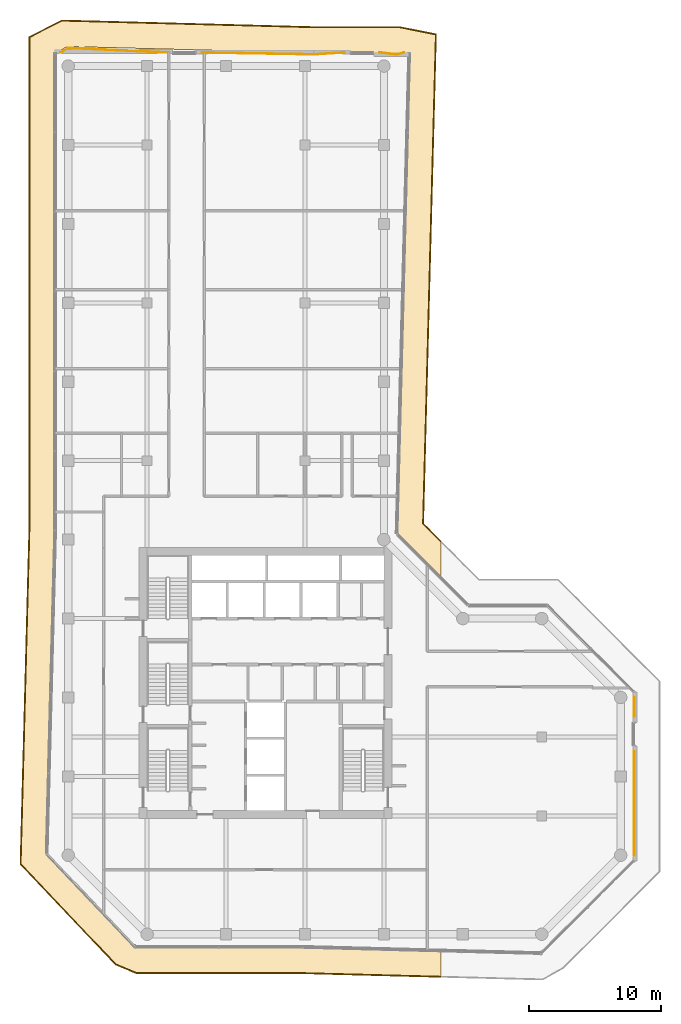
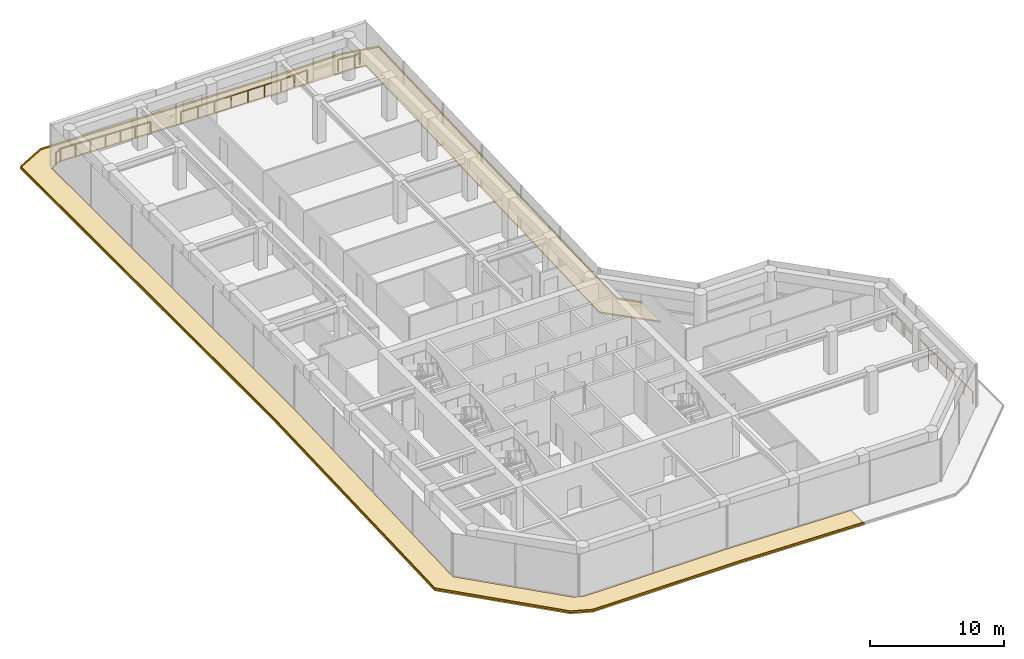
# One storey, part 19 of 19: 5 railings, 2 coverings.
"""IFC4 building model written with IfcOpenShell, lengths in metres."""

from ifc_helpers import new_model, si_unit, direction, frame, origin, origin_2d, place, context, subcontext, project, spatial, polyline, circle, outline, extrude, material, layer, layer_set, type_object, element, save


model = new_model("IFC4")

# Units and contexts
model_context = context("Model", 3, precision=1e-05, world=origin(), true_north=direction((0.0, 1.0)))
body_context = subcontext(model_context, "Body", "Model", "MODEL_VIEW")
ifc_project = project(units=[si_unit("LENGTHUNIT", "METRE"), si_unit("AREAUNIT", "SQUARE_METRE"), si_unit("VOLUMEUNIT", "CUBIC_METRE"), si_unit("PLANEANGLEUNIT", "RADIAN"), si_unit("MASSUNIT", "GRAM", prefix="KILO")], contexts=[model_context])

# Site, building, storey
site_placement = place(None, origin())
site = spatial("IfcSite", under=ifc_project, at=site_placement, CompositionType="ELEMENT")
building_placement = place(site_placement, origin())
building = spatial("IfcBuilding", under=site, at=building_placement, Name="Welwitschia Terrace Campus", CompositionType="ELEMENT")
storey_placement = place(building_placement, frame((0.0, 0.0, 163.39990234375)))
storey = spatial("IfcBuildingStorey", under=building, at=storey_placement, Name="L36", CompositionType="ELEMENT", Elevation=163.39990234375)

# Railings
ifc_material_1 = material(Name="Stainless steel grade 316", Category="steel")
railing_type = type_object("IfcRailingType", Name="Guard 1100", PredefinedType="GUARDRAIL", material=ifc_material_1)
railing_1_placement = place(storey_placement, frame((-0.584228515625, 63.018798828125, 0.0)))
element("IfcRailing", 1, at=railing_1_placement, inside=storey, type_object=railing_type, Name="Guard floor edge L36.0", PredefinedType="GUARDRAIL", context=body_context, shape_type="SweptSolid", body=[
    extrude(circle(Radius=0.02392578125, at=origin_2d()), frame((0.0, 0.0, 1.076171875), z_axis=(0.853631085252, 0.520878076224, 0.0), x_axis=(-0.520878076224, 0.853631085252, 0.0)), (0.0, 0.0, 1.0), 0.673583984375),
    extrude(circle(Radius=0.02392578125, at=origin_2d()), frame((0.574951171875, 0.350830078125, 1.076171875), z_axis=(0.998941133806, -0.046006642883, 0.0), x_axis=(0.046006642883, 0.998941133806, 0.0)), (0.0, 0.0, 1.0), 7.52490234375),
    extrude(circle(Radius=0.02099609375, at=origin_2d()), origin(), (0.0, 0.0, 1.0), 1.052001953125),
    extrude(circle(Radius=0.02099609375, at=origin_2d()), frame((0.574951171875, 0.350830078125, 0.0)), (0.0, 0.0, 1.0), 1.052001953125),
    extrude(circle(Radius=0.02099609375, at=origin_2d()), frame((1.82763671875, 0.293212890625, 0.0)), (0.0, 0.0, 1.0), 1.052001953125),
    extrude(circle(Radius=0.02099609375, at=origin_2d()), frame((3.08056640625, 0.2353515625, 0.0)), (0.0, 0.0, 1.0), 1.052001953125),
    extrude(circle(Radius=0.02099609375, at=origin_2d()), frame((4.33349609375, 0.177734375, 0.0)), (0.0, 0.0, 1.0), 1.052001953125),
    extrude(circle(Radius=0.02099609375, at=origin_2d()), frame((5.586181640625, 0.1201171875, 0.0)), (0.0, 0.0, 1.0), 1.052001953125),
    extrude(circle(Radius=0.02099609375, at=origin_2d()), frame((6.8388671875, 0.062255859375, 0.0)), (0.0, 0.0, 1.0), 1.052001953125),
    extrude(circle(Radius=0.02099609375, at=origin_2d()), frame((8.091796875, 0.004638671875, 0.0)), (0.0, 0.0, 1.0), 1.052001953125),
])
railing_2_placement = place(storey_placement, frame((10.17431640625, 63.02490234375, 0.0)))
element("IfcRailing", 2, at=railing_2_placement, inside=storey, type_object=railing_type, Name="Guard floor edge L36.1", PredefinedType="GUARDRAIL", context=body_context, shape_type="SweptSolid", body=[
    extrude(circle(Radius=0.02392578125, at=origin_2d()), frame((0.0, 0.0, 1.076171875), z_axis=(0.999855057446, -0.017025395715, 0.0), x_axis=(0.017025395715, 0.999855057446, 0.0)), (0.0, 0.0, 1.0), 8.517822265625),
    extrude(circle(Radius=0.02392578125, at=origin_2d()), frame((8.5166015625, -0.14501953125, 1.076171875), z_axis=(0.997924657914, 0.064392368547, 0.0), x_axis=(-0.064392368547, 0.997924657914, 0.0)), (0.0, 0.0, 1.0), 2.331787109375),
    extrude(circle(Radius=0.02099609375, at=origin_2d()), origin(), (0.0, 0.0, 1.0), 1.052001953125),
    extrude(circle(Radius=0.02099609375, at=origin_2d()), frame((1.41943359375, -0.024169921875, 0.0)), (0.0, 0.0, 1.0), 1.052001953125),
    extrude(circle(Radius=0.02099609375, at=origin_2d()), frame((2.8388671875, -0.04833984375, 0.0)), (0.0, 0.0, 1.0), 1.052001953125),
    extrude(circle(Radius=0.02099609375, at=origin_2d()), frame((4.25830078125, -0.072509765625, 0.0)), (0.0, 0.0, 1.0), 1.052001953125),
    extrude(circle(Radius=0.02099609375, at=origin_2d()), frame((5.677734375, -0.0966796875, 0.0)), (0.0, 0.0, 1.0), 1.052001953125),
    extrude(circle(Radius=0.02099609375, at=origin_2d()), frame((7.09716796875, -0.120849609375, 0.0)), (0.0, 0.0, 1.0), 1.052001953125),
    extrude(circle(Radius=0.02099609375, at=origin_2d()), frame((8.5166015625, -0.14501953125, 0.0)), (0.0, 0.0, 1.0), 1.052001953125),
    extrude(circle(Radius=0.02099609375, at=origin_2d()), frame((9.68017578125, -0.06982421875, 0.0)), (0.0, 0.0, 1.0), 1.052001953125),
    extrude(circle(Radius=0.02099609375, at=origin_2d()), frame((10.843505859375, 0.005126953125, 0.0)), (0.0, 0.0, 1.0), 1.052001953125),
])
railing_3_placement = place(storey_placement, frame((23.665283203125, 63.030029296875, 0.0)))
element("IfcRailing", 3, at=railing_3_placement, inside=storey, type_object=railing_type, Name="Guard floor edge L36.2", PredefinedType="GUARDRAIL", context=body_context, shape_type="SweptSolid", body=[
    extrude(circle(Radius=0.02392578125, at=origin_2d()), frame((0.0, 0.0, 1.076171875), z_axis=(0.993621607333, -0.112765692657, 0.0), x_axis=(0.112765692657, 0.993621607333, 0.0)), (0.0, 0.0, 1.0), 1.33154296875),
    extrude(circle(Radius=0.02392578125, at=origin_2d()), frame((1.322998046875, -0.150146484375, 1.076171875), z_axis=(0.964072756283, 0.265638326664, 0.0), x_axis=(-0.265638326664, 0.964072756283, 0.0)), (0.0, 0.0, 1.0), 0.565185546875),
    extrude(circle(Radius=0.02099609375, at=origin_2d()), origin(), (0.0, 0.0, 1.0), 1.052001953125),
    extrude(circle(Radius=0.02099609375, at=origin_2d()), frame((1.322998046875, -0.150146484375, 0.0)), (0.0, 0.0, 1.0), 1.052001953125),
    extrude(circle(Radius=0.02099609375, at=origin_2d()), frame((1.867919921875, 0.0, 0.0)), (0.0, 0.0, 1.0), 1.052001953125),
])
railing_4_placement = place(storey_placement, frame((43.030029296875, 9.8896484375, 0.0)))
element("IfcRailing", 4, at=railing_4_placement, inside=storey, type_object=railing_type, Name="Guard floor edge L36.3", PredefinedType="GUARDRAIL", context=body_context, shape_type="SweptSolid", body=[
    extrude(circle(Radius=0.02392578125, at=origin_2d()), frame((0.0, 0.0, 1.076171875), z_axis=(0.0, -1.0, 0.0), x_axis=(1.0, 0.0, 0.0)), (0.0, 0.0, 1.0), 7.892578125),
    extrude(circle(Radius=0.02099609375, at=origin_2d()), origin(), (0.0, 0.0, 1.0), 1.052001953125),
    extrude(circle(Radius=0.02099609375, at=origin_2d()), frame((0.0, -1.3154296875, 0.0)), (0.0, 0.0, 1.0), 1.052001953125),
    extrude(circle(Radius=0.02099609375, at=origin_2d()), frame((0.0, -2.630859375, 0.0)), (0.0, 0.0, 1.0), 1.052001953125),
    extrude(circle(Radius=0.02099609375, at=origin_2d()), frame((0.0, -3.9462890625, 0.0)), (0.0, 0.0, 1.0), 1.052001953125),
    extrude(circle(Radius=0.02099609375, at=origin_2d()), frame((0.0, -5.26171875, 0.0)), (0.0, 0.0, 1.0), 1.052001953125),
    extrude(circle(Radius=0.02099609375, at=origin_2d()), frame((0.0, -6.5771484375, 0.0)), (0.0, 0.0, 1.0), 1.052001953125),
    extrude(circle(Radius=0.02099609375, at=origin_2d()), frame((0.0, -7.892578125, 0.0)), (0.0, 0.0, 1.0), 1.052001953125),
])
railing_5_placement = place(storey_placement, frame((43.030029296875, 14.0029296875, 0.0)))
element("IfcRailing", 5, at=railing_5_placement, inside=storey, type_object=railing_type, Name="Guard floor edge L36.4", PredefinedType="GUARDRAIL", context=body_context, shape_type="SweptSolid", body=[
    extrude(circle(Radius=0.02392578125, at=origin_2d()), frame((0.0, 0.0, 1.076171875), z_axis=(0.0, -1.0, 0.0), x_axis=(1.0, 0.0, 0.0)), (0.0, 0.0, 1.0), 1.4658203125),
    extrude(circle(Radius=0.02099609375, at=origin_2d()), origin(), (0.0, 0.0, 1.0), 1.052001953125),
    extrude(circle(Radius=0.02099609375, at=origin_2d()), frame((0.0, -1.4658203125, 0.0)), (0.0, 0.0, 1.0), 1.052001953125),
])

# Coverings
ifc_material_2 = material(Name="Bronze anodised aluminium", Category="aluminium")
ifc_layer_1 = layer(ifc_material_2, 0.1201171875)
ifc_layer_set_1 = layer_set([ifc_layer_1], Name="Bronze anodised aluminium")
covering_type_1 = type_object("IfcCoveringType", Name="Sunshade band 2000", PredefinedType="USERDEFINED", material=ifc_layer_set_1)
covering_1_placement = place(storey_placement, frame((0.0, 0.0, -0.25)))
element("IfcCovering", 6, at=covering_1_placement, inside=storey, type_object=covering_type_1, Name="SUNSHADE L36.SW0", ObjectType="SUNSHADE", PredefinedType="USERDEFINED", context=body_context, shape_type="SweptSolid", body=[
    extrude(outline(polyline([(18.71875, 65.0), (25.197265625, 65.0), (27.997802734375, 64.44189453125), (27.023193359375, 27.219482421875), (28.355712890625, 25.886962890625), (28.355712890625, 23.05859375), (25.00146484375, 26.412841796875), (25.95458984375, 62.809814453125), (25.0, 63.0), (18.692626953125, 63.0), (-0.03662109375, 63.490478515625), (-1.0, 63.0), (-1.0, 26.70068359375), (-1.644287109375, 2.097412109375), (4.766845703125, -4.65869140625), (5.585693359375, -5.0), (17.802490234375, -5.0), (28.355712890625, -5.2763671875), (28.355712890625, -7.277099609375), (17.776123046875, -7.0), (5.185546875, -7.0), (3.607177734375, -6.342041015625), (-3.665283203125, 1.321533203125), (-3.0, 26.726806640625), (-3.0, 64.22607421875), (-0.49169921875, 65.5029296875), (18.71875, 65.0)])), origin(), (0.0, 0.0, 1.0), 0.1201171875),
])
ifc_material_3 = material(Name="Bronze anodised aluminium", Category="aluminium")
ifc_layer_2 = layer(ifc_material_3, 0.06005859375)
ifc_layer_set_2 = layer_set([ifc_layer_2], Name="Bronze anodised aluminium")
covering_type_2 = type_object("IfcCoveringType", Name="Sunshade lip 60", PredefinedType="USERDEFINED", material=ifc_layer_set_2)
covering_2_placement = place(storey_placement, frame((0.0, 0.0, -0.1298828125)))
element("IfcCovering", 7, at=covering_2_placement, inside=storey, type_object=covering_type_2, Name="SUNSHADE LIP L36.SW0.0", ObjectType="SUNSHADE", PredefinedType="USERDEFINED", context=body_context, shape_type="SweptSolid", body=[
    extrude(outline(polyline([(25.197265625, 65.0), (27.997802734375, 64.44189453125), (27.023193359375, 27.219482421875), (28.355712890625, 25.886962890625), (28.355712890625, 25.802001953125), (26.96240234375, 27.1953125), (27.9365234375, 64.39306640625), (25.19140625, 64.93994140625), (18.718017578125, 64.93994140625), (-0.47802734375, 65.442626953125), (-2.93994140625, 64.189208984375), (-2.93994140625, 26.72607421875), (-3.6044921875, 1.3447265625), (3.641845703125, -6.29150390625), (5.197509765625, -6.93994140625), (17.777099609375, -6.93994140625), (28.355712890625, -7.217041015625), (28.355712890625, -7.277099609375), (17.776123046875, -7.0), (5.185546875, -7.0), (3.607177734375, -6.342041015625), (-3.665283203125, 1.321533203125), (-3.0, 26.726806640625), (-3.0, 64.22607421875), (-0.49169921875, 65.5029296875), (18.71875, 65.0), (25.197265625, 65.0)])), origin(), (0.0, 0.0, 1.0), 0.1298828125),
])

save(model, "model.ifc")
